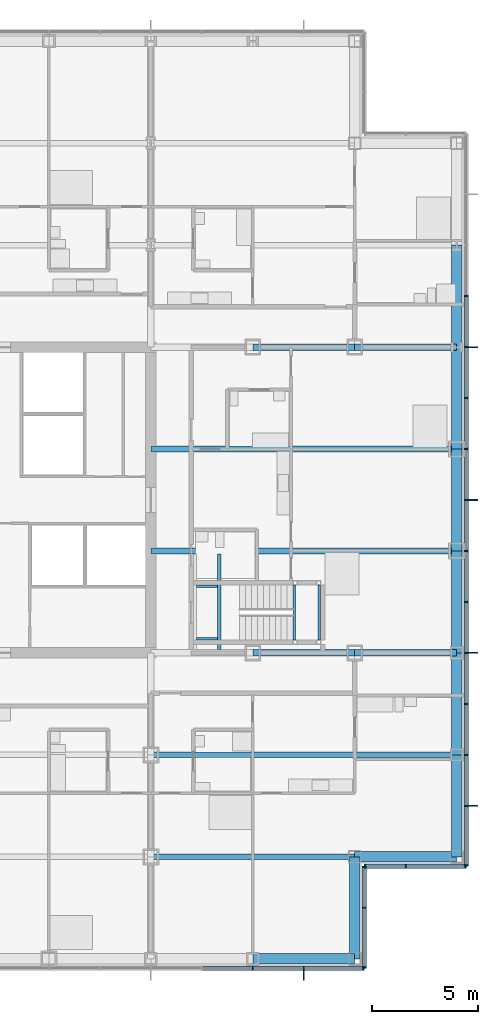
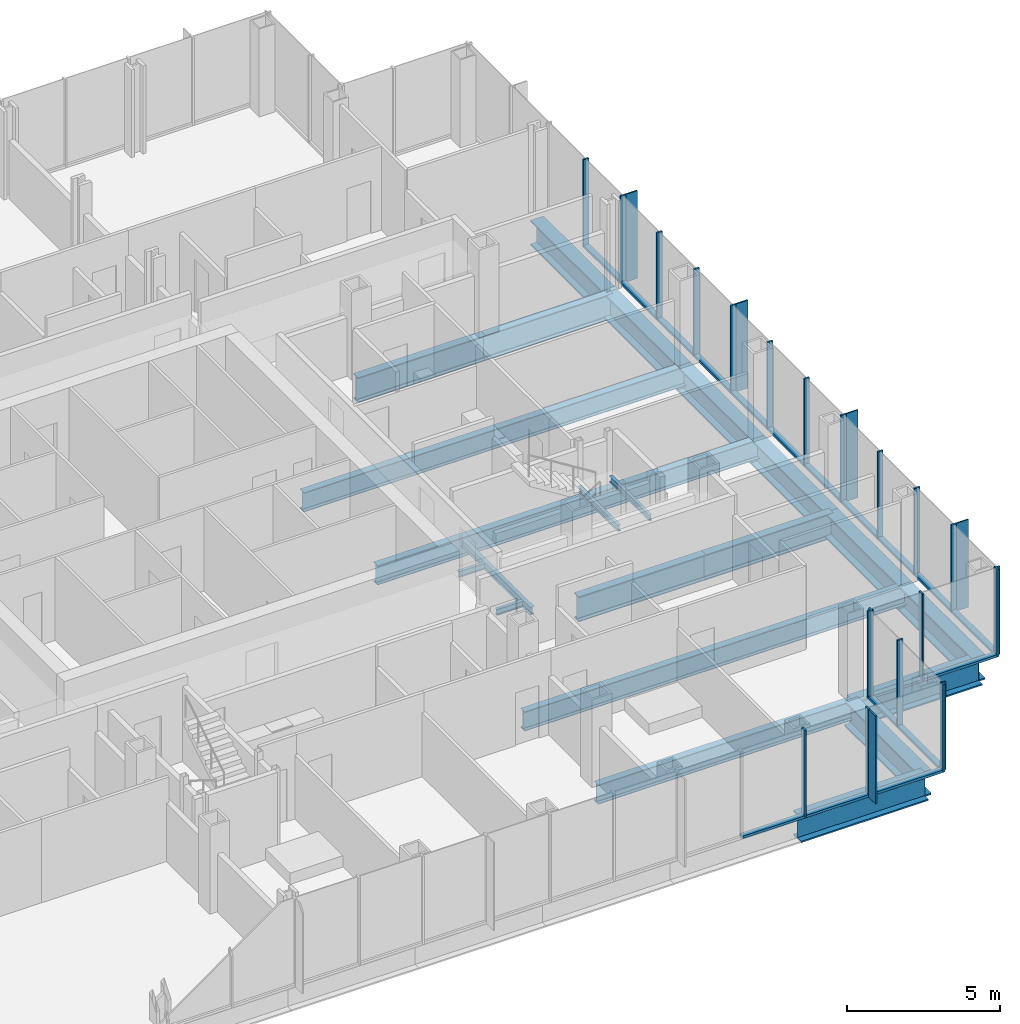
# One storey, part 9 of 21: 44 members, 22 beams, 4 elements without a shape of their own.
"""IFC4 building model written with IfcOpenShell, lengths in metres."""

from ifc_helpers import new_model, si_unit, direction, frame, origin, origin_2d, place, context, subcontext, project, spatial, rectangle, i_section, extrude, material, material_profile, profile_set, type_object, element, aggregate, save


model = new_model("IFC4")

# Units and contexts
model_context = context("Model", 3, precision=1e-05, world=origin(), true_north=direction((0.0, 1.0)))
body_context = subcontext(model_context, "Body", "Model", "MODEL_VIEW")
ifc_project = project(units=[si_unit("LENGTHUNIT", "METRE"), si_unit("AREAUNIT", "SQUARE_METRE"), si_unit("VOLUMEUNIT", "CUBIC_METRE"), si_unit("PLANEANGLEUNIT", "RADIAN"), si_unit("MASSUNIT", "GRAM", prefix="KILO")], contexts=[model_context])

# Site, building, storey
site_placement = place(None, origin())
site = spatial("IfcSite", under=ifc_project, at=site_placement, CompositionType="ELEMENT")
building_placement = place(site_placement, origin())
building = spatial("IfcBuilding", under=site, at=building_placement, Name="Kvirike Care Tower", CompositionType="ELEMENT")
storey_placement = place(building_placement, frame((0.0, 0.0, 58.5)))
storey = spatial("IfcBuildingStorey", under=building, at=storey_placement, Name="L15", CompositionType="ELEMENT", Elevation=58.5)

# Curtain wall, member
ifc_material_1 = material(Name="Anodised aluminium stick system", Category="aluminium")
curtain_wall_type = type_object("IfcCurtainWallType", Name="CW-A STICK CURTAIN WALL", PredefinedType="NOTDEFINED", material=ifc_material_1)
curtain_wall_1_placement = place(storey_placement, origin())
curtain_wall_1 = element("IfcCurtainWall", 1, at=curtain_wall_1_placement, inside=storey, type_object=curtain_wall_type, Name="Curtain wall L15 face 4", PredefinedType="NOTDEFINED")
ifc_material_2 = material(Name="Bronze anodised aluminium fin", Category="aluminium")
ifc_material_profile_1 = material_profile(ifc_material_2, rectangle(XDim=0.050048828125, YDim=0.449951171875, at=origin_2d()), Name="BRONZE FIN 450")
ifc_profile_set_1 = profile_set([ifc_material_profile_1], Name="Bronze anodised aluminium fin")
member_type_1 = type_object("IfcMemberType", Name="BRONZE FIN 450", PredefinedType="USERDEFINED", material=ifc_profile_set_1)
member_1_placement = place(storey_placement, frame((36.0, 13.625, 0.0), z_axis=(0.0, 0.0, 1.0), x_axis=(1.0, 0.0, 0.0)))
member_1 = element("IfcMember", 2, at=member_1_placement, type_object=member_type_1, Name="Bronze fin L15 face 4.14", ObjectType="FIN", PredefinedType="USERDEFINED", context=body_context, shape_type="SweptSolid", body=[
    extrude(rectangle(XDim=0.050048828125, YDim=0.449951171875, at=origin_2d()), origin(), (0.0, 0.0, 1.0), 3.5),
])

# Curtain wall, members
curtain_wall_2_placement = place(storey_placement, origin())
curtain_wall_2 = element("IfcCurtainWall", 3, at=curtain_wall_2_placement, inside=storey, type_object=curtain_wall_type, Name="Curtain wall L15 face 7", PredefinedType="NOTDEFINED")
member_2_placement = place(storey_placement, frame((43.97509765625, 21.60009765625, 0.0), z_axis=(0.0, 0.0, 1.0), x_axis=(0.0, 1.0, 0.0)))
member_2 = element("IfcMember", 4, at=member_2_placement, type_object=member_type_1, Name="Bronze fin L15 face 7.2", ObjectType="FIN", PredefinedType="USERDEFINED", context=body_context, shape_type="SweptSolid", body=[
    extrude(rectangle(XDim=0.050048828125, YDim=0.449951171875, at=origin_2d()), origin(), (0.0, 0.0, 1.0), 3.5),
])
member_3_placement = place(storey_placement, frame((43.97509765625, 28.800048828125, 0.0), z_axis=(0.0, 0.0, 1.0), x_axis=(0.0, 1.0, 0.0)))
member_3 = element("IfcMember", 5, at=member_3_placement, type_object=member_type_1, Name="Bronze fin L15 face 7.5", ObjectType="FIN", PredefinedType="USERDEFINED", context=body_context, shape_type="SweptSolid", body=[
    extrude(rectangle(XDim=0.050048828125, YDim=0.449951171875, at=origin_2d()), origin(), (0.0, 0.0, 1.0), 3.5),
])
member_4_placement = place(storey_placement, frame((43.97509765625, 36.0, 0.0), z_axis=(0.0, 0.0, 1.0), x_axis=(0.0, 1.0, 0.0)))
member_4 = element("IfcMember", 6, at=member_4_placement, type_object=member_type_1, Name="Bronze fin L15 face 7.8", ObjectType="FIN", PredefinedType="USERDEFINED", context=body_context, shape_type="SweptSolid", body=[
    extrude(rectangle(XDim=0.050048828125, YDim=0.449951171875, at=origin_2d()), origin(), (0.0, 0.0, 1.0), 3.5),
])
member_5_placement = place(storey_placement, frame((43.97509765625, 43.199951171875, 0.0), z_axis=(0.0, 0.0, 1.0), x_axis=(0.0, 1.0, 0.0)))
member_5 = element("IfcMember", 7, at=member_5_placement, type_object=member_type_1, Name="Bronze fin L15 face 7.11", ObjectType="FIN", PredefinedType="USERDEFINED", context=body_context, shape_type="SweptSolid", body=[
    extrude(rectangle(XDim=0.050048828125, YDim=0.449951171875, at=origin_2d()), origin(), (0.0, 0.0, 1.0), 3.5),
])

# Member
ifc_material_3 = material(Name="Bronze anodised aluminium mullion", Category="aluminium")
ifc_material_profile_2 = material_profile(ifc_material_3, rectangle(XDim=0.06494140625, YDim=0.199951171875, at=origin_2d()), Name="CW-A MULLION 65x200")
ifc_profile_set_2 = profile_set([ifc_material_profile_2], Name="Bronze anodised aluminium mullion")
member_type_2 = type_object("IfcMemberType", Name="CW-A MULLION 65x200", PredefinedType="MULLION", material=ifc_profile_set_2)
member_6_placement = place(storey_placement, frame((33.60009765625, 13.949951171875, 0.0), z_axis=(0.0, 0.0, 1.0), x_axis=(1.0, 0.0, 0.0)))
member_6 = element("IfcMember", 8, at=member_6_placement, type_object=member_type_2, Name="CW-A mullion L15 face 4.13", PredefinedType="MULLION", context=body_context, shape_type="SweptSolid", body=[
    extrude(rectangle(XDim=0.06494140625, YDim=0.199951171875, at=origin_2d()), origin(), (0.0, 0.0, 1.0), 3.5),
])

member_7_placement = place(storey_placement, frame((36.0, 13.949951171875, 0.0), z_axis=(0.0, 0.0, 1.0), x_axis=(1.0, 0.0, 0.0)))
member_7 = element("IfcMember", 9, at=member_7_placement, type_object=member_type_2, Name="CW-A mullion L15 face 4.14", PredefinedType="MULLION", context=body_context, shape_type="SweptSolid", body=[
    extrude(rectangle(XDim=0.06494140625, YDim=0.199951171875, at=origin_2d()), origin(), (0.0, 0.0, 1.0), 3.5),
])

member_8_placement = place(storey_placement, frame((38.8173828125, 13.949951171875, 0.0), z_axis=(0.0, 0.0, 1.0), x_axis=(1.0, 0.0, 0.0)))
member_8 = element("IfcMember", 10, at=member_8_placement, type_object=member_type_2, Name="CW-A mullion L15 face 4.15", PredefinedType="MULLION", context=body_context, shape_type="SweptSolid", body=[
    extrude(rectangle(XDim=0.06494140625, YDim=0.199951171875, at=origin_2d()), origin(), (0.0, 0.0, 1.0), 3.5),
])

# Curtain wall, members
curtain_wall_3_placement = place(storey_placement, origin())
curtain_wall_3 = element("IfcCurtainWall", 11, at=curtain_wall_3_placement, inside=storey, type_object=curtain_wall_type, Name="Curtain wall L15 face 5", PredefinedType="NOTDEFINED")
member_9_placement = place(storey_placement, frame((38.85009765625, 13.982421875, 0.0), z_axis=(0.0, 0.0, 1.0), x_axis=(0.0, 1.0, 0.0)))
member_9 = element("IfcMember", 12, at=member_9_placement, type_object=member_type_2, Name="CW-A mullion L15 face 5.1", PredefinedType="MULLION", context=body_context, shape_type="SweptSolid", body=[
    extrude(rectangle(XDim=0.06494140625, YDim=0.199951171875, at=origin_2d()), origin(), (0.0, 0.0, 1.0), 3.5),
])
member_10_placement = place(storey_placement, frame((38.85009765625, 16.800048828125, 0.0), z_axis=(0.0, 0.0, 1.0), x_axis=(0.0, 1.0, 0.0)))
member_10 = element("IfcMember", 13, at=member_10_placement, type_object=member_type_2, Name="CW-A mullion L15 face 5.2", PredefinedType="MULLION", context=body_context, shape_type="SweptSolid", body=[
    extrude(rectangle(XDim=0.06494140625, YDim=0.199951171875, at=origin_2d()), origin(), (0.0, 0.0, 1.0), 3.5),
])
member_11_placement = place(storey_placement, frame((38.85009765625, 18.717529296875, 0.0), z_axis=(0.0, 0.0, 1.0), x_axis=(0.0, 1.0, 0.0)))
member_11 = element("IfcMember", 14, at=member_11_placement, type_object=member_type_2, Name="CW-A mullion L15 face 5.3", PredefinedType="MULLION", context=body_context, shape_type="SweptSolid", body=[
    extrude(rectangle(XDim=0.06494140625, YDim=0.199951171875, at=origin_2d()), origin(), (0.0, 0.0, 1.0), 3.5),
])

curtain_wall_4_placement = place(storey_placement, origin())
curtain_wall_4 = element("IfcCurtainWall", 15, at=curtain_wall_4_placement, inside=storey, type_object=curtain_wall_type, Name="Curtain wall L15 face 6", PredefinedType="NOTDEFINED")
member_12_placement = place(storey_placement, frame((38.882568359375, 18.75, 0.0), z_axis=(0.0, 0.0, 1.0), x_axis=(1.0, 0.0, 0.0)))
member_12 = element("IfcMember", 16, at=member_12_placement, type_object=member_type_2, Name="CW-A mullion L15 face 6.1", PredefinedType="MULLION", context=body_context, shape_type="SweptSolid", body=[
    extrude(rectangle(XDim=0.06494140625, YDim=0.199951171875, at=origin_2d()), origin(), (0.0, 0.0, 1.0), 3.5),
])
member_13_placement = place(storey_placement, frame((40.800048828125, 18.75, 0.0), z_axis=(0.0, 0.0, 1.0), x_axis=(1.0, 0.0, 0.0)))
member_13 = element("IfcMember", 17, at=member_13_placement, type_object=member_type_2, Name="CW-A mullion L15 face 6.2", PredefinedType="MULLION", context=body_context, shape_type="SweptSolid", body=[
    extrude(rectangle(XDim=0.06494140625, YDim=0.199951171875, at=origin_2d()), origin(), (0.0, 0.0, 1.0), 3.5),
])
member_14_placement = place(storey_placement, frame((43.617431640625, 18.75, 0.0), z_axis=(0.0, 0.0, 1.0), x_axis=(1.0, 0.0, 0.0)))
member_14 = element("IfcMember", 18, at=member_14_placement, type_object=member_type_2, Name="CW-A mullion L15 face 6.3", PredefinedType="MULLION", context=body_context, shape_type="SweptSolid", body=[
    extrude(rectangle(XDim=0.06494140625, YDim=0.199951171875, at=origin_2d()), origin(), (0.0, 0.0, 1.0), 3.5),
])

# Member
member_15_placement = place(storey_placement, frame((43.64990234375, 18.782470703125, 0.0), z_axis=(0.0, 0.0, 1.0), x_axis=(0.0, 1.0, 0.0)))
member_15 = element("IfcMember", 19, at=member_15_placement, type_object=member_type_2, Name="CW-A mullion L15 face 7.1", PredefinedType="MULLION", context=body_context, shape_type="SweptSolid", body=[
    extrude(rectangle(XDim=0.06494140625, YDim=0.199951171875, at=origin_2d()), origin(), (0.0, 0.0, 1.0), 3.5),
])

member_16_placement = place(storey_placement, frame((43.64990234375, 21.60009765625, 0.0), z_axis=(0.0, 0.0, 1.0), x_axis=(0.0, 1.0, 0.0)))
member_16 = element("IfcMember", 20, at=member_16_placement, type_object=member_type_2, Name="CW-A mullion L15 face 7.2", PredefinedType="MULLION", context=body_context, shape_type="SweptSolid", body=[
    extrude(rectangle(XDim=0.06494140625, YDim=0.199951171875, at=origin_2d()), origin(), (0.0, 0.0, 1.0), 3.5),
])

member_17_placement = place(storey_placement, frame((43.64990234375, 24.0, 0.0), z_axis=(0.0, 0.0, 1.0), x_axis=(0.0, 1.0, 0.0)))
member_17 = element("IfcMember", 21, at=member_17_placement, type_object=member_type_2, Name="CW-A mullion L15 face 7.3", PredefinedType="MULLION", context=body_context, shape_type="SweptSolid", body=[
    extrude(rectangle(XDim=0.06494140625, YDim=0.199951171875, at=origin_2d()), origin(), (0.0, 0.0, 1.0), 3.5),
])

member_18_placement = place(storey_placement, frame((43.64990234375, 26.39990234375, 0.0), z_axis=(0.0, 0.0, 1.0), x_axis=(0.0, 1.0, 0.0)))
member_18 = element("IfcMember", 22, at=member_18_placement, type_object=member_type_2, Name="CW-A mullion L15 face 7.4", PredefinedType="MULLION", context=body_context, shape_type="SweptSolid", body=[
    extrude(rectangle(XDim=0.06494140625, YDim=0.199951171875, at=origin_2d()), origin(), (0.0, 0.0, 1.0), 3.5),
])

member_19_placement = place(storey_placement, frame((43.64990234375, 28.800048828125, 0.0), z_axis=(0.0, 0.0, 1.0), x_axis=(0.0, 1.0, 0.0)))
member_19 = element("IfcMember", 23, at=member_19_placement, type_object=member_type_2, Name="CW-A mullion L15 face 7.5", PredefinedType="MULLION", context=body_context, shape_type="SweptSolid", body=[
    extrude(rectangle(XDim=0.06494140625, YDim=0.199951171875, at=origin_2d()), origin(), (0.0, 0.0, 1.0), 3.5),
])

member_20_placement = place(storey_placement, frame((43.64990234375, 31.199951171875, 0.0), z_axis=(0.0, 0.0, 1.0), x_axis=(0.0, 1.0, 0.0)))
member_20 = element("IfcMember", 24, at=member_20_placement, type_object=member_type_2, Name="CW-A mullion L15 face 7.6", PredefinedType="MULLION", context=body_context, shape_type="SweptSolid", body=[
    extrude(rectangle(XDim=0.06494140625, YDim=0.199951171875, at=origin_2d()), origin(), (0.0, 0.0, 1.0), 3.5),
])

member_21_placement = place(storey_placement, frame((43.64990234375, 33.60009765625, 0.0), z_axis=(0.0, 0.0, 1.0), x_axis=(0.0, 1.0, 0.0)))
member_21 = element("IfcMember", 25, at=member_21_placement, type_object=member_type_2, Name="CW-A mullion L15 face 7.7", PredefinedType="MULLION", context=body_context, shape_type="SweptSolid", body=[
    extrude(rectangle(XDim=0.06494140625, YDim=0.199951171875, at=origin_2d()), origin(), (0.0, 0.0, 1.0), 3.5),
])

member_22_placement = place(storey_placement, frame((43.64990234375, 36.0, 0.0), z_axis=(0.0, 0.0, 1.0), x_axis=(0.0, 1.0, 0.0)))
member_22 = element("IfcMember", 26, at=member_22_placement, type_object=member_type_2, Name="CW-A mullion L15 face 7.8", PredefinedType="MULLION", context=body_context, shape_type="SweptSolid", body=[
    extrude(rectangle(XDim=0.06494140625, YDim=0.199951171875, at=origin_2d()), origin(), (0.0, 0.0, 1.0), 3.5),
])

member_23_placement = place(storey_placement, frame((43.64990234375, 38.39990234375, 0.0), z_axis=(0.0, 0.0, 1.0), x_axis=(0.0, 1.0, 0.0)))
member_23 = element("IfcMember", 27, at=member_23_placement, type_object=member_type_2, Name="CW-A mullion L15 face 7.9", PredefinedType="MULLION", context=body_context, shape_type="SweptSolid", body=[
    extrude(rectangle(XDim=0.06494140625, YDim=0.199951171875, at=origin_2d()), origin(), (0.0, 0.0, 1.0), 3.5),
])

member_24_placement = place(storey_placement, frame((43.64990234375, 40.800048828125, 0.0), z_axis=(0.0, 0.0, 1.0), x_axis=(0.0, 1.0, 0.0)))
member_24 = element("IfcMember", 28, at=member_24_placement, type_object=member_type_2, Name="CW-A mullion L15 face 7.10", PredefinedType="MULLION", context=body_context, shape_type="SweptSolid", body=[
    extrude(rectangle(XDim=0.06494140625, YDim=0.199951171875, at=origin_2d()), origin(), (0.0, 0.0, 1.0), 3.5),
])

member_25_placement = place(storey_placement, frame((43.64990234375, 43.199951171875, 0.0), z_axis=(0.0, 0.0, 1.0), x_axis=(0.0, 1.0, 0.0)))
member_25 = element("IfcMember", 29, at=member_25_placement, type_object=member_type_2, Name="CW-A mullion L15 face 7.11", PredefinedType="MULLION", context=body_context, shape_type="SweptSolid", body=[
    extrude(rectangle(XDim=0.06494140625, YDim=0.199951171875, at=origin_2d()), origin(), (0.0, 0.0, 1.0), 3.5),
])

member_26_placement = place(storey_placement, frame((43.64990234375, 45.60009765625, 0.0), z_axis=(0.0, 0.0, 1.0), x_axis=(0.0, 1.0, 0.0)))
member_26 = element("IfcMember", 30, at=member_26_placement, type_object=member_type_2, Name="CW-A mullion L15 face 7.12", PredefinedType="MULLION", context=body_context, shape_type="SweptSolid", body=[
    extrude(rectangle(XDim=0.06494140625, YDim=0.199951171875, at=origin_2d()), origin(), (0.0, 0.0, 1.0), 3.5),
])

ifc_material_4 = material(Name="Bronze anodised aluminium transom", Category="aluminium")
ifc_material_profile_3 = material_profile(ifc_material_4, rectangle(XDim=0.199951171875, YDim=0.10009765625, at=origin_2d()), Name="CW-A TRANSOM 200x100")
ifc_profile_set_3 = profile_set([ifc_material_profile_3], Name="Bronze anodised aluminium transom")
member_type_3 = type_object("IfcMemberType", Name="CW-A TRANSOM 200x100", PredefinedType="USERDEFINED", material=ifc_profile_set_3)
member_27_placement = place(storey_placement, frame((31.232421875, 13.949951171875, 0.050048828125), z_axis=(1.0, 0.0, 0.0), x_axis=(0.0, 1.0, 0.0)))
member_27 = element("IfcMember", 31, at=member_27_placement, type_object=member_type_3, Name="CW-A sill transom L15 face 4.12", ObjectType="TRANSOM", PredefinedType="USERDEFINED", context=body_context, shape_type="SweptSolid", body=[
    extrude(rectangle(XDim=0.199951171875, YDim=0.10009765625, at=origin_2d()), origin(), (0.0, 0.0, 1.0), 2.3349609375),
])

member_28_placement = place(storey_placement, frame((33.632568359375, 13.949951171875, 0.050048828125), z_axis=(1.0, 0.0, 0.0), x_axis=(0.0, 1.0, 0.0)))
member_28 = element("IfcMember", 32, at=member_28_placement, type_object=member_type_3, Name="CW-A sill transom L15 face 4.13", ObjectType="TRANSOM", PredefinedType="USERDEFINED", context=body_context, shape_type="SweptSolid", body=[
    extrude(rectangle(XDim=0.199951171875, YDim=0.10009765625, at=origin_2d()), origin(), (0.0, 0.0, 1.0), 2.3349609375),
])

member_29_placement = place(storey_placement, frame((36.032470703125, 13.949951171875, 0.050048828125), z_axis=(1.0, 0.0, 0.0), x_axis=(0.0, 1.0, 0.0)))
member_29 = element("IfcMember", 33, at=member_29_placement, type_object=member_type_3, Name="CW-A sill transom L15 face 4.14", ObjectType="TRANSOM", PredefinedType="USERDEFINED", context=body_context, shape_type="SweptSolid", body=[
    extrude(rectangle(XDim=0.199951171875, YDim=0.10009765625, at=origin_2d()), origin(), (0.0, 0.0, 1.0), 2.75244140625),
])

aggregate(curtain_wall_1, [member_6, member_7, member_1, member_8, member_27, member_28, member_29])

member_30_placement = place(storey_placement, frame((38.85009765625, 14.014892578125, 0.050048828125), z_axis=(0.0, 1.0, 0.0), x_axis=(-1.0, 0.0, 0.0)))
member_30 = element("IfcMember", 34, at=member_30_placement, type_object=member_type_3, Name="CW-A sill transom L15 face 5.1", ObjectType="TRANSOM", PredefinedType="USERDEFINED", context=body_context, shape_type="SweptSolid", body=[
    extrude(rectangle(XDim=0.199951171875, YDim=0.10009765625, at=origin_2d()), origin(), (0.0, 0.0, 1.0), 2.752685546875),
])

member_31_placement = place(storey_placement, frame((38.85009765625, 16.83251953125, 0.050048828125), z_axis=(0.0, 1.0, 0.0), x_axis=(-1.0, 0.0, 0.0)))
member_31 = element("IfcMember", 35, at=member_31_placement, type_object=member_type_3, Name="CW-A sill transom L15 face 5.2", ObjectType="TRANSOM", PredefinedType="USERDEFINED", context=body_context, shape_type="SweptSolid", body=[
    extrude(rectangle(XDim=0.199951171875, YDim=0.10009765625, at=origin_2d()), origin(), (0.0, 0.0, 1.0), 1.8525390625),
])

aggregate(curtain_wall_3, [member_9, member_10, member_11, member_30, member_31])

member_32_placement = place(storey_placement, frame((38.9150390625, 18.75, 0.050048828125), z_axis=(1.0, 0.0, 0.0), x_axis=(0.0, 1.0, 0.0)))
member_32 = element("IfcMember", 36, at=member_32_placement, type_object=member_type_3, Name="CW-A sill transom L15 face 6.1", ObjectType="TRANSOM", PredefinedType="USERDEFINED", context=body_context, shape_type="SweptSolid", body=[
    extrude(rectangle(XDim=0.199951171875, YDim=0.10009765625, at=origin_2d()), origin(), (0.0, 0.0, 1.0), 1.8525390625),
])

member_33_placement = place(storey_placement, frame((40.83251953125, 18.75, 0.050048828125), z_axis=(1.0, 0.0, 0.0), x_axis=(0.0, 1.0, 0.0)))
member_33 = element("IfcMember", 37, at=member_33_placement, type_object=member_type_3, Name="CW-A sill transom L15 face 6.2", ObjectType="TRANSOM", PredefinedType="USERDEFINED", context=body_context, shape_type="SweptSolid", body=[
    extrude(rectangle(XDim=0.199951171875, YDim=0.10009765625, at=origin_2d()), origin(), (0.0, 0.0, 1.0), 2.75244140625),
])

aggregate(curtain_wall_4, [member_12, member_13, member_14, member_32, member_33])

member_34_placement = place(storey_placement, frame((43.64990234375, 18.81494140625, 0.050048828125), z_axis=(0.0, 1.0, 0.0), x_axis=(-1.0, 0.0, 0.0)))
member_34 = element("IfcMember", 38, at=member_34_placement, type_object=member_type_3, Name="CW-A sill transom L15 face 7.1", ObjectType="TRANSOM", PredefinedType="USERDEFINED", context=body_context, shape_type="SweptSolid", body=[
    extrude(rectangle(XDim=0.199951171875, YDim=0.10009765625, at=origin_2d()), origin(), (0.0, 0.0, 1.0), 2.75244140625),
])

member_35_placement = place(storey_placement, frame((43.64990234375, 21.632568359375, 0.050048828125), z_axis=(0.0, 1.0, 0.0), x_axis=(-1.0, 0.0, 0.0)))
member_35 = element("IfcMember", 39, at=member_35_placement, type_object=member_type_3, Name="CW-A sill transom L15 face 7.2", ObjectType="TRANSOM", PredefinedType="USERDEFINED", context=body_context, shape_type="SweptSolid", body=[
    extrude(rectangle(XDim=0.199951171875, YDim=0.10009765625, at=origin_2d()), origin(), (0.0, 0.0, 1.0), 2.3349609375),
])

member_36_placement = place(storey_placement, frame((43.64990234375, 24.032470703125, 0.050048828125), z_axis=(0.0, 1.0, 0.0), x_axis=(-1.0, 0.0, 0.0)))
member_36 = element("IfcMember", 40, at=member_36_placement, type_object=member_type_3, Name="CW-A sill transom L15 face 7.3", ObjectType="TRANSOM", PredefinedType="USERDEFINED", context=body_context, shape_type="SweptSolid", body=[
    extrude(rectangle(XDim=0.199951171875, YDim=0.10009765625, at=origin_2d()), origin(), (0.0, 0.0, 1.0), 2.3349609375),
])

member_37_placement = place(storey_placement, frame((43.64990234375, 26.4326171875, 0.050048828125), z_axis=(0.0, 1.0, 0.0), x_axis=(-1.0, 0.0, 0.0)))
member_37 = element("IfcMember", 41, at=member_37_placement, type_object=member_type_3, Name="CW-A sill transom L15 face 7.4", ObjectType="TRANSOM", PredefinedType="USERDEFINED", context=body_context, shape_type="SweptSolid", body=[
    extrude(rectangle(XDim=0.199951171875, YDim=0.10009765625, at=origin_2d()), origin(), (0.0, 0.0, 1.0), 2.3349609375),
])

member_38_placement = place(storey_placement, frame((43.64990234375, 28.83251953125, 0.050048828125), z_axis=(0.0, 1.0, 0.0), x_axis=(-1.0, 0.0, 0.0)))
member_38 = element("IfcMember", 42, at=member_38_placement, type_object=member_type_3, Name="CW-A sill transom L15 face 7.5", ObjectType="TRANSOM", PredefinedType="USERDEFINED", context=body_context, shape_type="SweptSolid", body=[
    extrude(rectangle(XDim=0.199951171875, YDim=0.10009765625, at=origin_2d()), origin(), (0.0, 0.0, 1.0), 2.3349609375),
])

member_39_placement = place(storey_placement, frame((43.64990234375, 31.232421875, 0.050048828125), z_axis=(0.0, 1.0, 0.0), x_axis=(-1.0, 0.0, 0.0)))
member_39 = element("IfcMember", 43, at=member_39_placement, type_object=member_type_3, Name="CW-A sill transom L15 face 7.6", ObjectType="TRANSOM", PredefinedType="USERDEFINED", context=body_context, shape_type="SweptSolid", body=[
    extrude(rectangle(XDim=0.199951171875, YDim=0.10009765625, at=origin_2d()), origin(), (0.0, 0.0, 1.0), 2.3349609375),
])

member_40_placement = place(storey_placement, frame((43.64990234375, 33.632568359375, 0.050048828125), z_axis=(0.0, 1.0, 0.0), x_axis=(-1.0, 0.0, 0.0)))
member_40 = element("IfcMember", 44, at=member_40_placement, type_object=member_type_3, Name="CW-A sill transom L15 face 7.7", ObjectType="TRANSOM", PredefinedType="USERDEFINED", context=body_context, shape_type="SweptSolid", body=[
    extrude(rectangle(XDim=0.199951171875, YDim=0.10009765625, at=origin_2d()), origin(), (0.0, 0.0, 1.0), 2.3349609375),
])

member_41_placement = place(storey_placement, frame((43.64990234375, 36.032470703125, 0.050048828125), z_axis=(0.0, 1.0, 0.0), x_axis=(-1.0, 0.0, 0.0)))
member_41 = element("IfcMember", 45, at=member_41_placement, type_object=member_type_3, Name="CW-A sill transom L15 face 7.8", ObjectType="TRANSOM", PredefinedType="USERDEFINED", context=body_context, shape_type="SweptSolid", body=[
    extrude(rectangle(XDim=0.199951171875, YDim=0.10009765625, at=origin_2d()), origin(), (0.0, 0.0, 1.0), 2.3349609375),
])

member_42_placement = place(storey_placement, frame((43.64990234375, 38.4326171875, 0.050048828125), z_axis=(0.0, 1.0, 0.0), x_axis=(-1.0, 0.0, 0.0)))
member_42 = element("IfcMember", 46, at=member_42_placement, type_object=member_type_3, Name="CW-A sill transom L15 face 7.9", ObjectType="TRANSOM", PredefinedType="USERDEFINED", context=body_context, shape_type="SweptSolid", body=[
    extrude(rectangle(XDim=0.199951171875, YDim=0.10009765625, at=origin_2d()), origin(), (0.0, 0.0, 1.0), 2.3349609375),
])

member_43_placement = place(storey_placement, frame((43.64990234375, 40.83251953125, 0.050048828125), z_axis=(0.0, 1.0, 0.0), x_axis=(-1.0, 0.0, 0.0)))
member_43 = element("IfcMember", 47, at=member_43_placement, type_object=member_type_3, Name="CW-A sill transom L15 face 7.10", ObjectType="TRANSOM", PredefinedType="USERDEFINED", context=body_context, shape_type="SweptSolid", body=[
    extrude(rectangle(XDim=0.199951171875, YDim=0.10009765625, at=origin_2d()), origin(), (0.0, 0.0, 1.0), 2.3349609375),
])

member_44_placement = place(storey_placement, frame((43.64990234375, 43.232421875, 0.050048828125), z_axis=(0.0, 1.0, 0.0), x_axis=(-1.0, 0.0, 0.0)))
member_44 = element("IfcMember", 48, at=member_44_placement, type_object=member_type_3, Name="CW-A sill transom L15 face 7.11", ObjectType="TRANSOM", PredefinedType="USERDEFINED", context=body_context, shape_type="SweptSolid", body=[
    extrude(rectangle(XDim=0.199951171875, YDim=0.10009765625, at=origin_2d()), origin(), (0.0, 0.0, 1.0), 2.3349609375),
])

aggregate(curtain_wall_2, [member_15, member_16, member_2, member_17, member_18, member_19, member_3, member_20, member_21, member_22, member_4, member_23, member_24, member_25, member_5, member_26, member_34, member_35, member_36, member_37, member_38, member_39, member_40, member_41, member_42, member_43, member_44])

# Beams
ifc_material_5 = material(Name="Steel S355", Category="steel")
ifc_material_profile_4 = material_profile(ifc_material_5, i_section(OverallWidth=0.26806640625, OverallDepth=0.77001953125, WebThickness=0.015625, FlangeThickness=0.025390625, FilletRadius=0.01708984375, at=origin_2d()), Name="IPE 750x196")
ifc_profile_set_4 = profile_set([ifc_material_profile_4], Name="Steel S355")
beam_type_1 = type_object("IfcBeamType", Name="FLOOR BEAM IPE 750x196", PredefinedType="BEAM", material=ifc_profile_set_4)
beam_1_placement = place(storey_placement, frame((28.800048828125, 19.199951171875, -0.554931640625), z_axis=(1.0, 0.0, 0.0), x_axis=(0.0, 1.0, 0.0)))
element("IfcBeam", 49, at=beam_1_placement, inside=storey, type_object=beam_type_1, Name="Floor Beam E9-E11 L15", PredefinedType="BEAM", context=body_context, shape_type="SweptSolid", body=[
    extrude(i_section(OverallWidth=0.26806640625, OverallDepth=0.77001953125, WebThickness=0.015625, FlangeThickness=0.025390625, FilletRadius=0.01708984375, at=origin_2d()), origin(), (0.0, 0.0, 1.0), 9.599853515625),
])
for number, where, z_axis, x_axis, name in (
    (50, (28.800048828125, 24.0, -0.554931640625), (1.0, 0.0, 0.0), (0.0, 1.0, 0.0), "Floor Beam F9-F12 L15"),
    (51, (28.800048828125, 33.60009765625, -0.554931640625), (1.0, 0.0, 0.0), (0.0, 1.0, 0.0), "Floor Beam H9-H12 L15"),
    (52, (28.800048828125, 38.39990234375, -0.554931640625), (1.0, 0.0, 0.0), (0.0, 1.0, 0.0), "Floor Beam J9-J12 L15"),
):
    element("IfcBeam", number, at=place(storey_placement, frame(where, z_axis=z_axis, x_axis=x_axis)), inside=storey, type_object=beam_type_1, Name=name, PredefinedType="BEAM", context=body_context, shape_type="SweptSolid", body=[
        extrude(i_section(OverallWidth=0.26806640625, OverallDepth=0.77001953125, WebThickness=0.015625, FlangeThickness=0.025390625, FilletRadius=0.01708984375, at=origin_2d()), origin(), (0.0, 0.0, 1.0), 14.39990234375),
    ])
ifc_material_6 = material(Name="Steel S355", Category="steel")
ifc_material_profile_5 = material_profile(ifc_material_6, i_section(OverallWidth=0.300048828125, OverallDepth=1.0, WebThickness=0.01904296875, FlangeThickness=0.035888671875, FilletRadius=0.030029296875, at=origin_2d()), Name="HE 1000 B")
ifc_profile_set_5 = profile_set([ifc_material_profile_5], Name="Steel S355")
beam_type_2 = type_object("IfcBeamType", Name="FRAME BEAM HE 1000 B", PredefinedType="BEAM", material=ifc_profile_set_5)
beam_2_placement = place(storey_placement, frame((33.60009765625, 28.800048828125, -0.669921875), z_axis=(1.0, 0.0, 0.0), x_axis=(0.0, 1.0, 0.0)))
element("IfcBeam", 53, at=beam_2_placement, inside=storey, type_object=beam_type_2, Name="Frame Beam G10-G11 L15", PredefinedType="BEAM", context=body_context, shape_type="SweptSolid", body=[
    extrude(i_section(OverallWidth=0.300048828125, OverallDepth=1.0, WebThickness=0.01904296875, FlangeThickness=0.035888671875, FilletRadius=0.030029296875, at=origin_2d()), origin(), (0.0, 0.0, 1.0), 4.7998046875),
])
beam_3_placement = place(storey_placement, frame((38.39990234375, 28.800048828125, -0.669921875), z_axis=(1.0, 0.0, 0.0), x_axis=(0.0, 1.0, 0.0)))
element("IfcBeam", 54, at=beam_3_placement, inside=storey, type_object=beam_type_2, Name="Frame Beam G11-G12 L15", PredefinedType="BEAM", context=body_context, shape_type="SweptSolid", body=[
    extrude(i_section(OverallWidth=0.300048828125, OverallDepth=1.0, WebThickness=0.01904296875, FlangeThickness=0.035888671875, FilletRadius=0.030029296875, at=origin_2d()), origin(), (0.0, 0.0, 1.0), 4.800048828125),
])
beam_4_placement = place(storey_placement, frame((33.60009765625, 43.199951171875, -0.669921875), z_axis=(1.0, 0.0, 0.0), x_axis=(0.0, 1.0, 0.0)))
element("IfcBeam", 55, at=beam_4_placement, inside=storey, type_object=beam_type_2, Name="Frame Beam K10-K11 L15", PredefinedType="BEAM", context=body_context, shape_type="SweptSolid", body=[
    extrude(i_section(OverallWidth=0.300048828125, OverallDepth=1.0, WebThickness=0.01904296875, FlangeThickness=0.035888671875, FilletRadius=0.030029296875, at=origin_2d()), origin(), (0.0, 0.0, 1.0), 4.7998046875),
])
beam_5_placement = place(storey_placement, frame((38.39990234375, 43.199951171875, -0.669921875), z_axis=(1.0, 0.0, 0.0), x_axis=(0.0, 1.0, 0.0)))
element("IfcBeam", 56, at=beam_5_placement, inside=storey, type_object=beam_type_2, Name="Frame Beam K11-K12 L15", PredefinedType="BEAM", context=body_context, shape_type="SweptSolid", body=[
    extrude(i_section(OverallWidth=0.300048828125, OverallDepth=1.0, WebThickness=0.01904296875, FlangeThickness=0.035888671875, FilletRadius=0.030029296875, at=origin_2d()), origin(), (0.0, 0.0, 1.0), 4.800048828125),
])
ifc_material_7 = material(Name="Steel S355", Category="steel")
ifc_material_profile_6 = material_profile(ifc_material_7, i_section(OverallWidth=0.5, OverallDepth=1.0, WebThickness=0.030029296875, FlangeThickness=0.06005859375, at=origin_2d()), Name="PG 1000x500x30x60")
ifc_profile_set_6 = profile_set([ifc_material_profile_6], Name="Steel S355")
beam_type_3 = type_object("IfcBeamType", Name="SPANDREL PG 1000x500x30x60", PredefinedType="SPANDREL", material=ifc_profile_set_6)
beam_6_placement = place(storey_placement, frame((33.60009765625, 14.39990234375, -0.669921875), z_axis=(1.0, 0.0, 0.0), x_axis=(0.0, 1.0, 0.0)))
element("IfcBeam", 57, at=beam_6_placement, inside=storey, type_object=beam_type_3, Name="Spandrel D10-D11 L15", PredefinedType="SPANDREL", context=body_context, shape_type="SweptSolid", body=[
    extrude(i_section(OverallWidth=0.5, OverallDepth=1.0, WebThickness=0.030029296875, FlangeThickness=0.06005859375, at=origin_2d()), origin(), (0.0, 0.0, 1.0), 4.7998046875),
])
for number, where, z_axis, x_axis, name in (
    (58, (38.39990234375, 19.199951171875, -0.669921875), (1.0, 0.0, 0.0), (0.0, 1.0, 0.0), "Spandrel E11-E12 L15"),
    (59, (38.39990234375, 14.39990234375, -0.669921875), (0.0, 1.0, 0.0), (-1.0, 0.0, 0.0), "Spandrel D11-E11 L15"),
    (60, (43.199951171875, 19.199951171875, -0.669921875), (0.0, 1.0, 0.0), (-1.0, 0.0, 0.0), "Spandrel E12-F12 L15"),
    (61, (43.199951171875, 24.0, -0.669921875), (0.0, 1.0, 0.0), (-1.0, 0.0, 0.0), "Spandrel F12-G12 L15"),
    (62, (43.199951171875, 28.800048828125, -0.669921875), (0.0, 1.0, 0.0), (-1.0, 0.0, 0.0), "Spandrel G12-H12 L15"),
):
    element("IfcBeam", number, at=place(storey_placement, frame(where, z_axis=z_axis, x_axis=x_axis)), inside=storey, type_object=beam_type_3, Name=name, PredefinedType="SPANDREL", context=body_context, shape_type="SweptSolid", body=[
        extrude(i_section(OverallWidth=0.5, OverallDepth=1.0, WebThickness=0.030029296875, FlangeThickness=0.06005859375, at=origin_2d()), origin(), (0.0, 0.0, 1.0), 4.800048828125),
    ])
beam_7_placement = place(storey_placement, frame((43.199951171875, 33.60009765625, -0.669921875), z_axis=(0.0, 1.0, 0.0), x_axis=(-1.0, 0.0, 0.0)))
element("IfcBeam", 63, at=beam_7_placement, inside=storey, type_object=beam_type_3, Name="Spandrel H12-J12 L15", PredefinedType="SPANDREL", context=body_context, shape_type="SweptSolid", body=[
    extrude(i_section(OverallWidth=0.5, OverallDepth=1.0, WebThickness=0.030029296875, FlangeThickness=0.06005859375, at=origin_2d()), origin(), (0.0, 0.0, 1.0), 4.7998046875),
])
for number, where, z_axis, x_axis, name in (
    (64, (43.199951171875, 38.39990234375, -0.669921875), (0.0, 1.0, 0.0), (-1.0, 0.0, 0.0), "Spandrel J12-K12 L15"),
    (65, (43.199951171875, 43.199951171875, -0.669921875), (0.0, 1.0, 0.0), (-1.0, 0.0, 0.0), "Spandrel K12-L12 L15"),
):
    element("IfcBeam", number, at=place(storey_placement, frame(where, z_axis=z_axis, x_axis=x_axis)), inside=storey, type_object=beam_type_3, Name=name, PredefinedType="SPANDREL", context=body_context, shape_type="SweptSolid", body=[
        extrude(i_section(OverallWidth=0.5, OverallDepth=1.0, WebThickness=0.030029296875, FlangeThickness=0.06005859375, at=origin_2d()), origin(), (0.0, 0.0, 1.0), 4.800048828125),
    ])
ifc_material_8 = material(Name="Steel S355", Category="steel")
ifc_material_profile_7 = material_profile(ifc_material_8, i_section(OverallWidth=0.1201171875, OverallDepth=0.239990234375, WebThickness=0.006103515625, FlangeThickness=0.009765625, FilletRadius=0.014892578125, at=origin_2d()), Name="IPE 240")
ifc_profile_set_7 = profile_set([ifc_material_profile_7], Name="Steel S355")
beam_type_4 = type_object("IfcBeamType", Name="STAIR LANDING BEAM IPE 240", PredefinedType="BEAM", material=ifc_profile_set_7)
for number, where, z_axis, x_axis, name in (
    (66, (36.739990234375, 29.39990234375, 1.429931640625), (0.0, 1.0, 0.0), (-1.0, 0.0, 0.0), "Stair 2 landing beam back L15"),
    (67, (35.56005859375, 29.39990234375, 1.429931640625), (0.0, 1.0, 0.0), (-1.0, 0.0, 0.0), "Stair 2 landing beam front L15"),
):
    element("IfcBeam", number, at=place(storey_placement, frame(where, z_axis=z_axis, x_axis=x_axis)), inside=storey, type_object=beam_type_4, Name=name, PredefinedType="BEAM", context=body_context, shape_type="SweptSolid", body=[
        extrude(i_section(OverallWidth=0.1201171875, OverallDepth=0.239990234375, WebThickness=0.006103515625, FlangeThickness=0.009765625, FilletRadius=0.014892578125, at=origin_2d()), origin(), (0.0, 0.0, 1.0), 2.60009765625),
    ])
for number, where, z_axis, x_axis, name in (
    (68, (31.949951171875, 29.4599609375, -0.320068359375), (-1.0, 0.0, 0.0), (0.0, -1.0, 0.0), "Stair 2 landing edge beam 1 L15"),
    (69, (31.949951171875, 31.93994140625, -0.320068359375), (-1.0, 0.0, 0.0), (0.0, -1.0, 0.0), "Stair 2 landing edge beam 2 L15"),
):
    element("IfcBeam", number, at=place(storey_placement, frame(where, z_axis=z_axis, x_axis=x_axis)), inside=storey, type_object=beam_type_4, Name=name, PredefinedType="BEAM", context=body_context, shape_type="SweptSolid", body=[
        extrude(i_section(OverallWidth=0.1201171875, OverallDepth=0.239990234375, WebThickness=0.006103515625, FlangeThickness=0.009765625, FilletRadius=0.014892578125, at=origin_2d()), origin(), (0.0, 0.0, 1.0), 1.0),
    ])
ifc_material_9 = material(Name="Steel S355", Category="steel")
ifc_material_profile_8 = material_profile(ifc_material_9, i_section(OverallWidth=0.14990234375, OverallDepth=0.300048828125, WebThickness=0.007080078125, FlangeThickness=0.0107421875, FilletRadius=0.014892578125, at=origin_2d()), Name="IPE 300")
ifc_profile_set_8 = profile_set([ifc_material_profile_8], Name="Steel S355")
beam_type_5 = type_object("IfcBeamType", Name="STAIR TRIMMER IPE 300", PredefinedType="BEAM", material=ifc_profile_set_8)
beam_8_placement = place(storey_placement, frame((32.02490234375, 28.949951171875, -0.35009765625), z_axis=(0.0, 1.0, 0.0), x_axis=(-1.0, 0.0, 0.0)))
element("IfcBeam", 70, at=beam_8_placement, inside=storey, type_object=beam_type_5, Name="Stair 2 trimmer 1 L15", PredefinedType="BEAM", context=body_context, shape_type="SweptSolid", body=[
    extrude(i_section(OverallWidth=0.14990234375, OverallDepth=0.300048828125, WebThickness=0.007080078125, FlangeThickness=0.0107421875, FilletRadius=0.014892578125, at=origin_2d()), origin(), (0.0, 0.0, 1.0), 4.51611328125),
])

save(model, "model.ifc")
